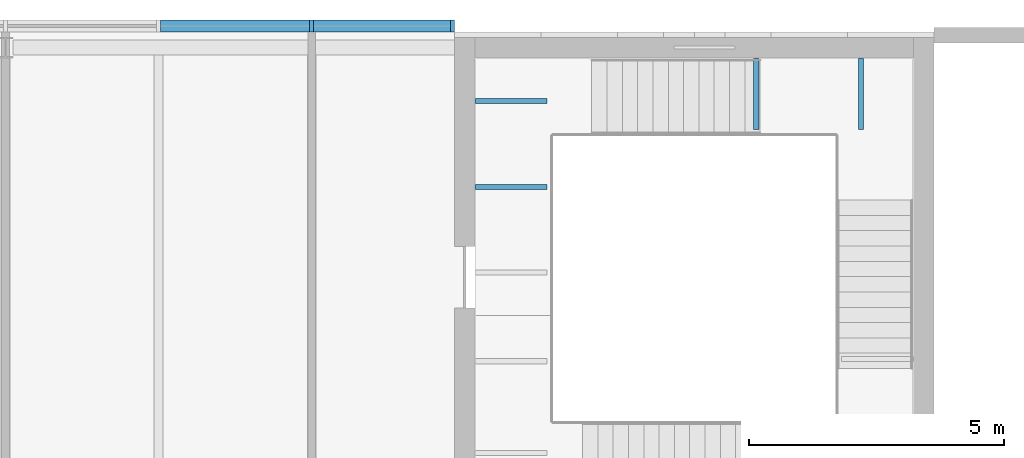
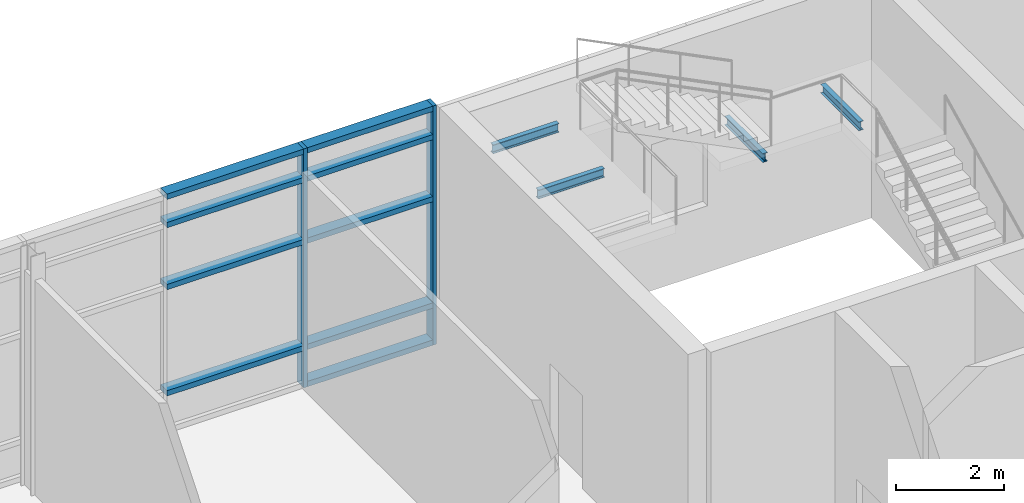
# One storey, part 16 of 56: 11 members, 4 beams, 1 element without a shape of its own.
"""IFC4 building model written with IfcOpenShell, lengths in metres."""

import ifcopenshell
import ifcopenshell.guid

model = None  # the IFC model being written
_history = None  # IfcOwnerHistory: only IFC2X3 demands one
_inside = {}  # id of a spatial element -> (the spatial element, [elements in it])
_under = {}  # id of a project, library or spatial element -> (it, [spatial elements below it])
_declared = {}  # id of a project -> (the project, [libraries it declares])
_typed = {}  # id of a type object -> (the type object, [elements of that type])
_made_of = {}  # id of a material, layer set ... -> (it, [elements and type objects made of it])


def new_model(schema):
    """Start an empty IFC model of exactly this schema.

    Asked for "IFC4X3", IfcOpenShell would pick the latest addendum, in which some entities
    have other attributes; the version numbers below select the first issue.
    IFC2X3 requires an IfcOwnerHistory on every rooted entity: one is made here for all.
    """
    global model, _history
    if schema == "IFC4X3":
        model = ifcopenshell.file(schema_version=(4, 3, 0, 0))
    else:
        model = ifcopenshell.file(schema=schema)
    _inside.clear()
    _under.clear()
    _declared.clear()
    _typed.clear()
    _made_of.clear()
    _history = None
    if model.schema == "IFC2X3":
        org = make("IfcOrganization", Name="unknown")
        user = make(
            "IfcPersonAndOrganization",
            ThePerson=make("IfcPerson", FamilyName="unknown"),
            TheOrganization=org,
        )
        app = make(
            "IfcApplication",
            ApplicationDeveloper=org,
            Version="unknown",
            ApplicationFullName="unknown",
            ApplicationIdentifier="unknown",
        )
        _history = make(
            "IfcOwnerHistory",
            OwningUser=user,
            OwningApplication=app,
            ChangeAction="ADDED",
            CreationDate=0,
        )
    return model


def make(cls, **values):
    """One entity of the class cls with the attributes given. An attribute that is None is left unset."""
    return model.create_entity(
        cls, **{name: value for name, value in values.items() if value is not None}
    )


def rooted(cls, **values):
    """An entity with a GlobalId (a new one), such as an element, a storey or a relation."""
    return make(cls, GlobalId=ifcopenshell.guid.new(), OwnerHistory=_history, **values)


def si_unit(unit_type, name, prefix=None):
    """IfcSIUnit, for example si_unit("LENGTHUNIT", "METRE", prefix="MILLI")."""
    return make("IfcSIUnit", UnitType=unit_type, Prefix=prefix, Name=name)


def assignment(units):
    """IfcUnitAssignment: the units of a project."""
    return None if units is None else make("IfcUnitAssignment", Units=units)


def point(xyz):
    """IfcCartesianPoint."""
    return None if xyz is None else make("IfcCartesianPoint", Coordinates=xyz)


def direction(xyz):
    """IfcDirection."""
    return None if xyz is None else make("IfcDirection", DirectionRatios=xyz)


def frame(location, z_axis=None, x_axis=None):
    """IfcAxis2Placement3D, a coordinate frame: its origin and axes. An axis left out is left unset."""
    return make(
        "IfcAxis2Placement3D",
        Location=point(location),
        Axis=direction(z_axis),
        RefDirection=direction(x_axis),
    )


def frame_2d(location, x_axis=None):
    """IfcAxis2Placement2D, a coordinate frame in the plane: its origin and x axis."""
    return make(
        "IfcAxis2Placement2D", Location=point(location), RefDirection=direction(x_axis)
    )


def origin():
    """The frame at (0, 0, 0) with its axes left unset."""
    return frame((0.0, 0.0, 0.0))


def origin_2d():
    """The frame at (0, 0) in the plane with its x axis left unset."""
    return frame_2d((0.0, 0.0))


def place(relative_to, where):
    """IfcLocalPlacement: puts the frame where relative to a parent placement (None: the world)."""
    return make(
        "IfcLocalPlacement", PlacementRelTo=relative_to, RelativePlacement=where
    )


def context(
    kind, dimensions, precision=None, world=None, true_north=None, identifier=None
):
    """IfcGeometricRepresentationContext, for example the 3D "Model" context."""
    return make(
        "IfcGeometricRepresentationContext",
        ContextIdentifier=identifier,
        ContextType=kind,
        CoordinateSpaceDimension=dimensions,
        Precision=precision,
        WorldCoordinateSystem=world,
        TrueNorth=true_north,
    )


def subcontext(parent, identifier, kind, view, scale=None):
    """IfcGeometricRepresentationSubContext, for example "Body" below "Model"."""
    return make(
        "IfcGeometricRepresentationSubContext",
        ContextIdentifier=identifier,
        ContextType=kind,
        ParentContext=parent,
        TargetScale=scale,
        TargetView=view,
    )


def project(units=None, contexts=None):
    """IfcProject with its units and contexts."""
    return rooted(
        "IfcProject",
        Name="project",
        RepresentationContexts=contexts,
        UnitsInContext=assignment(units),
    )


def spatial(cls, under=None, at=None, **own):
    """A site, building, storey or space (cls), placed at a placement, below another one or the project."""
    s = rooted(cls, ObjectPlacement=at, **own)
    if under is not None:
        _under.setdefault(under.id(), (under, []))[1].append(s)
    return s


def profile(cls, at=None, kind="AREA", **sizes):
    """A parametric profile (cls). Its sizes go by their IFC names, for example OverallWidth=200.0."""
    return make(cls, ProfileType=kind, Position=at, **sizes)


def rectangle(**sizes):
    """IfcRectangleProfileDef."""
    return profile("IfcRectangleProfileDef", **sizes)


def i_section(**sizes):
    """IfcIShapeProfileDef."""
    return profile("IfcIShapeProfileDef", **sizes)


def extrude(swept, where, along, depth):
    """IfcExtrudedAreaSolid: the profile swept, set in the frame where, extruded along a direction by depth."""
    return make(
        "IfcExtrudedAreaSolid",
        SweptArea=swept,
        Position=where,
        ExtrudedDirection=direction(along),
        Depth=depth,
    )


def shape(context_of_items, identifier, shape_type, items):
    """IfcShapeRepresentation: the items that make up one representation, for example the "Body"."""
    return make(
        "IfcShapeRepresentation",
        ContextOfItems=context_of_items,
        RepresentationIdentifier=identifier,
        RepresentationType=shape_type,
        Items=items,
    )


def material(Name=None, Category=None):
    """IfcMaterial."""
    return make("IfcMaterial", Name=Name, Category=Category)


def material_profile(
    of_material, cross_section, Name=None, Category=None, Priority=None
):
    """IfcMaterialProfile: a cross section and its material."""
    return make(
        "IfcMaterialProfile",
        Name=Name,
        Material=of_material,
        Profile=cross_section,
        Priority=Priority,
        Category=Category,
    )


def profile_set(profiles, Name=None, composite=None):
    """IfcMaterialProfileSet."""
    return make(
        "IfcMaterialProfileSet",
        Name=Name,
        MaterialProfiles=profiles,
        CompositeProfile=composite,
    )


def made_of(thing, what):
    """Note that an element or type object is made of a material, layer set ...; save() writes the relation."""
    if what is not None:
        _made_of.setdefault(what.id(), (what, []))[1].append(thing)
    return thing


def type_object(cls, material=None, **own):
    """A type object (cls), such as IfcWallType, which elements share."""
    return made_of(rooted(cls, **own), material)


def element(
    cls,
    number,
    at=None,
    inside=None,
    cuts=None,
    type_object=None,
    material=None,
    context=None,
    identifier="Body",
    shape_type=None,
    held_by="IfcProductDefinitionShape",
    body=None,
    shapes=None,
    **own,
):
    """One element of the class cls, such as IfcWall. Its Tag is "e" and its number.

    at: its placement. inside: the storey or other place that contains it. cuts: it is an
    opening in that element (IfcRelVoidsElement). A single representation is given by context,
    identifier, shape_type and body (its items); several are given by shapes. held_by: the class
    of the entity that holds the representations. save() writes the other relations.
    """
    e = rooted(cls, Tag="e%d" % number, ObjectPlacement=at, **own)
    if body is not None:
        shapes = [shape(context, identifier, shape_type, body)]
    if shapes is not None:
        e.Representation = make(held_by, Representations=shapes)
    if inside is not None:
        _inside.setdefault(inside.id(), (inside, []))[1].append(e)
    if cuts is not None:
        rooted(
            "IfcRelVoidsElement", RelatingBuildingElement=cuts, RelatedOpeningElement=e
        )
    if type_object is not None:
        _typed.setdefault(type_object.id(), (type_object, []))[1].append(e)
    return made_of(e, material)


def aggregate(whole, parts):
    """IfcRelAggregates: a whole, such as a stair, and the parts it consists of."""
    return rooted("IfcRelAggregates", RelatingObject=whole, RelatedObjects=parts)


def save(model, path):
    """Write the relations noted so far, then the file.

    IfcRelAggregates (storeys below a building ...), IfcRelContainedInSpatialStructure (elements
    in a storey), IfcRelDefinesByType, IfcRelAssociatesMaterial and IfcRelDeclares: one each for
    every whole, place, type object, material and project.
    """
    for whole, parts in _under.values():
        aggregate(whole, parts)
    for where, things in _inside.values():
        rooted(
            "IfcRelContainedInSpatialStructure",
            RelatedElements=things,
            RelatingStructure=where,
        )
    for kind, things in _typed.values():
        rooted("IfcRelDefinesByType", RelatedObjects=things, RelatingType=kind)
    for what, things in _made_of.values():
        rooted("IfcRelAssociatesMaterial", RelatedObjects=things, RelatingMaterial=what)
    for by, libraries in _declared.values():
        rooted("IfcRelDeclares", RelatingContext=by, RelatedDefinitions=libraries)
    model.write(path)


model = new_model("IFC4")

# Units and contexts
model_context = context("Model", 3, precision=1e-05, world=origin(), true_north=direction((0.0, 1.0)))
body_context = subcontext(model_context, "Body", "Model", "MODEL_VIEW")
ifc_project = project(units=[si_unit("LENGTHUNIT", "METRE"), si_unit("AREAUNIT", "SQUARE_METRE"), si_unit("VOLUMEUNIT", "CUBIC_METRE"), si_unit("PLANEANGLEUNIT", "RADIAN"), si_unit("MASSUNIT", "GRAM", prefix="KILO")], contexts=[model_context])

# Site, building, storey
site_placement = place(None, origin())
site = spatial("IfcSite", under=ifc_project, at=site_placement, CompositionType="ELEMENT")
building_placement = place(site_placement, origin())
building = spatial("IfcBuilding", under=site, at=building_placement, Name="Azimuth Sports and Learning Centre", CompositionType="ELEMENT")
storey_placement = place(building_placement, frame((0.0, 0.0, 5.39990234375)))
storey = spatial("IfcBuildingStorey", under=building, at=storey_placement, Name="L01", CompositionType="ELEMENT", Elevation=5.39990234375)

# Beams
ifc_material_1 = material(Name="Steel S355", Category="steel")
ifc_material_profile_1 = material_profile(ifc_material_1, i_section(OverallWidth=0.10009765625, OverallDepth=0.199951171875, WebThickness=0.005615234375, FlangeThickness=0.008544921875, FilletRadius=0.011962890625, at=origin_2d()), Name="IPE 200")
ifc_profile_set_1 = profile_set([ifc_material_profile_1], Name="Steel S355")
beam_type = type_object("IfcBeamType", Name="Beam IPE 200", PredefinedType="BEAM", material=ifc_profile_set_1)
for number, where, z_axis, x_axis, name in (
    (1, (59.715087890625, 116.800048828125, 3.300048828125), (0.0, -1.0, 0.0), (1.0, 0.0, 0.0), "Landing bracket W2 L01 190"),
    (2, (61.764892578125, 116.800048828125, 3.300048828125), (0.0, -1.0, 0.0), (1.0, 0.0, 0.0), "Landing bracket W2 L01 191"),
    (3, (54.199951171875, 114.27001953125, 5.10009765625), (1.0, 0.0, 0.0), (0.0, 1.0, 0.0), "Landing bracket W2 L01 193"),
    (4, (54.199951171875, 115.949951171875, 5.10009765625), (1.0, 0.0, 0.0), (0.0, 1.0, 0.0), "Landing bracket W2 L01 194"),
):
    element("IfcBeam", number, at=place(storey_placement, frame(where, z_axis=z_axis, x_axis=x_axis)), inside=storey, type_object=beam_type, Name=name, PredefinedType="BEAM", context=body_context, shape_type="SweptSolid", body=[
        extrude(i_section(OverallWidth=0.10009765625, OverallDepth=0.199951171875, WebThickness=0.005615234375, FlangeThickness=0.008544921875, FilletRadius=0.011962890625, at=origin_2d()), origin(), (0.0, 0.0, 1.0), 1.41015625),
    ])

# Curtain wall, members
ifc_material_2 = material(Name="Aluminium and glass", Category="aluminium")
curtain_wall_type = type_object("IfcCurtainWallType", Name="Curtain wall podium wing 240", PredefinedType="NOTDEFINED", material=ifc_material_2)
curtain_wall_placement = place(storey_placement, origin())
curtain_wall = element("IfcCurtainWall", 5, at=curtain_wall_placement, inside=storey, type_object=curtain_wall_type, Name="Curtain wall CW01-013", PredefinedType="NOTDEFINED")
ifc_material_3 = material(Name="Aluminium", Category="aluminium")
ifc_material_profile_2 = material_profile(ifc_material_3, rectangle(XDim=0.239990234375, YDim=0.080078125, at=origin_2d()), Name="Mullion 80x240")
ifc_profile_set_2 = profile_set([ifc_material_profile_2], Name="Aluminium")
member_type_1 = type_object("IfcMemberType", Name="Mullion 80x240", PredefinedType="MULLION", material=ifc_profile_set_2)
member_1_placement = place(storey_placement, frame((53.760009765625, 117.419921875, 0.0), z_axis=(0.0, 0.0, 1.0), x_axis=(0.0, -1.0, 0.0)))
member_1 = element("IfcMember", 6, at=member_1_placement, type_object=member_type_1, Name="CW01-013 mullion 1", PredefinedType="MULLION", context=body_context, shape_type="SweptSolid", body=[
    extrude(rectangle(XDim=0.239990234375, YDim=0.080078125, at=origin_2d()), origin(), (0.0, 0.0, 1.0), 5.400146484375),
])
member_2_placement = place(storey_placement, frame((51.0, 117.419921875, 0.0), z_axis=(0.0, 0.0, 1.0), x_axis=(0.0, -1.0, 0.0)))
member_2 = element("IfcMember", 7, at=member_2_placement, type_object=member_type_1, Name="CW01-013 mullion 2", PredefinedType="MULLION", context=body_context, shape_type="SweptSolid", body=[
    extrude(rectangle(XDim=0.239990234375, YDim=0.080078125, at=origin_2d()), origin(), (0.0, 0.0, 1.0), 5.400146484375),
])
ifc_material_4 = material(Name="Aluminium", Category="aluminium")
ifc_material_profile_3 = material_profile(ifc_material_4, rectangle(XDim=0.239990234375, YDim=0.1201171875, at=origin_2d()), Name="Transom 120x240")
ifc_profile_set_3 = profile_set([ifc_material_profile_3], Name="Aluminium")
member_type_2 = type_object("IfcMemberType", Name="Transom 120x240", PredefinedType="USERDEFINED", material=ifc_profile_set_3)
member_3_placement = place(storey_placement, frame((53.719970703125, 117.419921875, 0.06005859375), z_axis=(-1.0, 0.0, 0.0), x_axis=(0.0, -1.0, 0.0)))
member_3 = element("IfcMember", 8, at=member_3_placement, type_object=member_type_2, Name="CW01-013 transom 1.1", ObjectType="TRANSOM", PredefinedType="USERDEFINED", context=body_context, shape_type="SweptSolid", body=[
    extrude(rectangle(XDim=0.239990234375, YDim=0.1201171875, at=origin_2d()), origin(), (0.0, 0.0, 1.0), 2.679931640625),
])
member_4_placement = place(storey_placement, frame((53.719970703125, 117.419921875, 0.900146484375), z_axis=(-1.0, 0.0, 0.0), x_axis=(0.0, -1.0, 0.0)))
member_4 = element("IfcMember", 9, at=member_4_placement, type_object=member_type_2, Name="CW01-013 transom 1.2", ObjectType="TRANSOM", PredefinedType="USERDEFINED", context=body_context, shape_type="SweptSolid", body=[
    extrude(rectangle(XDim=0.239990234375, YDim=0.1201171875, at=origin_2d()), origin(), (0.0, 0.0, 1.0), 2.679931640625),
])
member_5_placement = place(storey_placement, frame((53.719970703125, 117.419921875, 3.300048828125), z_axis=(-1.0, 0.0, 0.0), x_axis=(0.0, -1.0, 0.0)))
member_5 = element("IfcMember", 10, at=member_5_placement, type_object=member_type_2, Name="CW01-013 transom 1.3", ObjectType="TRANSOM", PredefinedType="USERDEFINED", context=body_context, shape_type="SweptSolid", body=[
    extrude(rectangle(XDim=0.239990234375, YDim=0.1201171875, at=origin_2d()), origin(), (0.0, 0.0, 1.0), 2.679931640625),
])
member_6_placement = place(storey_placement, frame((53.719970703125, 117.419921875, 4.7001953125), z_axis=(-1.0, 0.0, 0.0), x_axis=(0.0, -1.0, 0.0)))
member_6 = element("IfcMember", 11, at=member_6_placement, type_object=member_type_2, Name="CW01-013 transom 1.4", ObjectType="TRANSOM", PredefinedType="USERDEFINED", context=body_context, shape_type="SweptSolid", body=[
    extrude(rectangle(XDim=0.239990234375, YDim=0.1201171875, at=origin_2d()), origin(), (0.0, 0.0, 1.0), 2.679931640625),
])
member_7_placement = place(storey_placement, frame((53.719970703125, 117.419921875, 5.340087890625), z_axis=(-1.0, 0.0, 0.0), x_axis=(0.0, -1.0, 0.0)))
member_7 = element("IfcMember", 12, at=member_7_placement, type_object=member_type_2, Name="CW01-013 transom 1.5", ObjectType="TRANSOM", PredefinedType="USERDEFINED", context=body_context, shape_type="SweptSolid", body=[
    extrude(rectangle(XDim=0.239990234375, YDim=0.1201171875, at=origin_2d()), origin(), (0.0, 0.0, 1.0), 2.679931640625),
])
member_8_placement = place(storey_placement, frame((50.9599609375, 117.419921875, 0.900146484375), z_axis=(-1.0, 0.0, 0.0), x_axis=(0.0, -1.0, 0.0)))
member_8 = element("IfcMember", 13, at=member_8_placement, type_object=member_type_2, Name="CW01-013 transom 2.2", ObjectType="TRANSOM", PredefinedType="USERDEFINED", context=body_context, shape_type="SweptSolid", body=[
    extrude(rectangle(XDim=0.239990234375, YDim=0.1201171875, at=origin_2d()), origin(), (0.0, 0.0, 1.0), 2.919921875),
])
member_9_placement = place(storey_placement, frame((50.9599609375, 117.419921875, 3.300048828125), z_axis=(-1.0, 0.0, 0.0), x_axis=(0.0, -1.0, 0.0)))
member_9 = element("IfcMember", 14, at=member_9_placement, type_object=member_type_2, Name="CW01-013 transom 2.3", ObjectType="TRANSOM", PredefinedType="USERDEFINED", context=body_context, shape_type="SweptSolid", body=[
    extrude(rectangle(XDim=0.239990234375, YDim=0.1201171875, at=origin_2d()), origin(), (0.0, 0.0, 1.0), 2.919921875),
])
member_10_placement = place(storey_placement, frame((50.9599609375, 117.419921875, 4.7001953125), z_axis=(-1.0, 0.0, 0.0), x_axis=(0.0, -1.0, 0.0)))
member_10 = element("IfcMember", 15, at=member_10_placement, type_object=member_type_2, Name="CW01-013 transom 2.4", ObjectType="TRANSOM", PredefinedType="USERDEFINED", context=body_context, shape_type="SweptSolid", body=[
    extrude(rectangle(XDim=0.239990234375, YDim=0.1201171875, at=origin_2d()), origin(), (0.0, 0.0, 1.0), 2.919921875),
])
member_11_placement = place(storey_placement, frame((50.9599609375, 117.419921875, 5.340087890625), z_axis=(-1.0, 0.0, 0.0), x_axis=(0.0, -1.0, 0.0)))
member_11 = element("IfcMember", 16, at=member_11_placement, type_object=member_type_2, Name="CW01-013 transom 2.5", ObjectType="TRANSOM", PredefinedType="USERDEFINED", context=body_context, shape_type="SweptSolid", body=[
    extrude(rectangle(XDim=0.239990234375, YDim=0.1201171875, at=origin_2d()), origin(), (0.0, 0.0, 1.0), 2.919921875),
])
aggregate(curtain_wall, [member_1, member_2, member_3, member_4, member_5, member_6, member_7, member_8, member_9, member_10, member_11])

save(model, "model.ifc")
